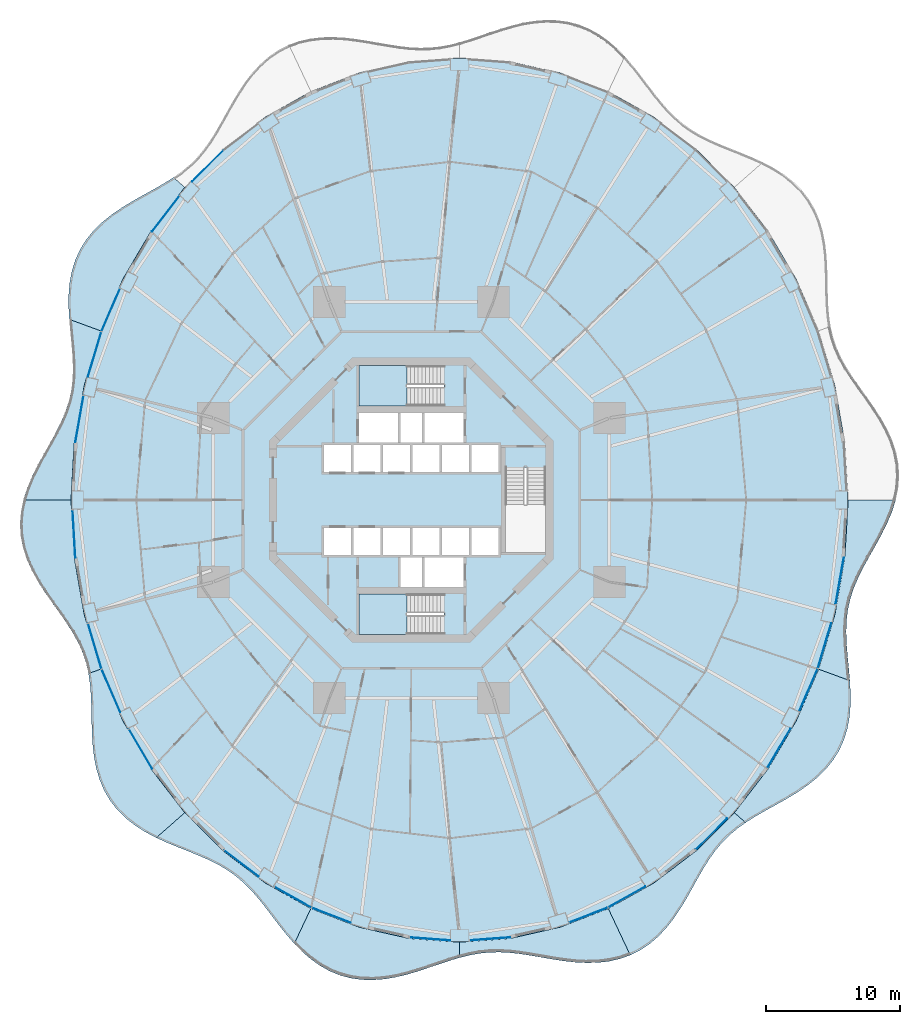
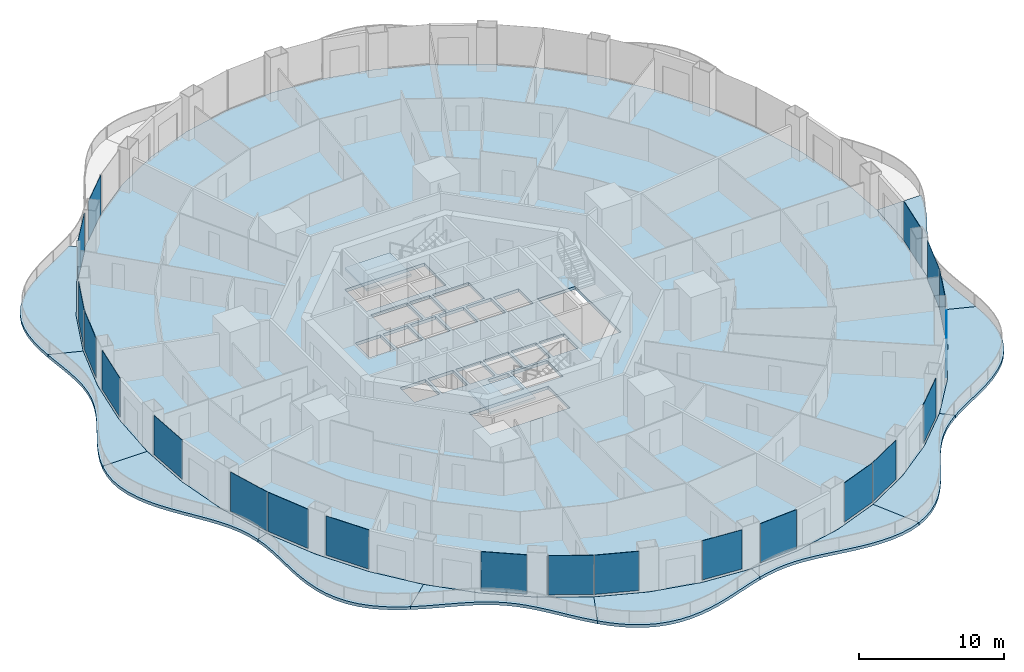
# One storey, part 12 of 22: 21 plates, 13 slabs, 23 elements without a shape of their own.
"""IFC4 building model written with IfcOpenShell, lengths in metres."""

from ifc_helpers import new_model, si_unit, direction, frame, origin, origin_2d, place, context, subcontext, project, spatial, polyline, rectangle, outline, extrude, material, layer, layer_set, type_object, element, aggregate, save


model = new_model("IFC4")

# Units and contexts
model_context = context("Model", 3, precision=1e-05, world=origin(), true_north=direction((0.0, 1.0)))
body_context = subcontext(model_context, "Body", "Model", "MODEL_VIEW")
ifc_project = project(units=[si_unit("LENGTHUNIT", "METRE"), si_unit("AREAUNIT", "SQUARE_METRE"), si_unit("VOLUMEUNIT", "CUBIC_METRE"), si_unit("PLANEANGLEUNIT", "RADIAN"), si_unit("MASSUNIT", "GRAM", prefix="KILO")], contexts=[model_context])

# Site, building, storey
site_placement = place(None, origin())
site = spatial("IfcSite", under=ifc_project, at=site_placement, CompositionType="ELEMENT")
building_placement = place(site_placement, origin())
building = spatial("IfcBuilding", under=site, at=building_placement, Name="Nagisa Residences", CompositionType="ELEMENT")
storey_placement = place(building_placement, frame((0.0, 0.0, 52.89990234375)))
storey = spatial("IfcBuildingStorey", under=building, at=storey_placement, Name="L12", CompositionType="ELEMENT", Elevation=52.89990234375)

# Slabs
ifc_material_1 = material(Name="Concrete C40/50", Category="concrete")
ifc_layer_1 = layer(ifc_material_1, 0.25)
ifc_layer_set_1 = layer_set([ifc_layer_1], Name="BALCONY SLAB 250")
slab_type_1 = type_object("IfcSlabType", Name="BALCONY SLAB 250", PredefinedType="FLOOR", material=ifc_layer_set_1)
slab_1_placement = place(storey_placement, frame((0.0, 0.0, -0.25)))
element("IfcSlab", 1, at=slab_1_placement, inside=storey, type_object=slab_type_1, Name="slab:L12:bal06", PredefinedType="FLOOR", context=body_context, shape_type="SweptSolid", body=[
    extrude(outline(polyline([(-17.743408203125, 24.0703125), (-18.46142578125, 23.617431640625), (-19.22021484375, 23.180908203125), (-20.00634765625, 22.745849609375), (-20.802978515625, 22.297119140625), (-21.59033203125, 21.820068359375), (-22.34814453125, 21.30322265625), (-23.055908203125, 20.73681640625), (-23.69580078125, 20.11474609375), (-24.251708984375, 19.4345703125), (-24.712890625, 18.697021484375), (-25.07275390625, 17.906982421875), (-25.330810546875, 17.0712890625), (-25.491943359375, 16.199462890625), (-25.566650390625, 15.30224609375), (-25.56982421875, 14.390869140625), (-25.521240234375, 13.476318359375), (-23.192626953125, 12.628662109375), (-21.5146484375, 16.5), (-19.4072265625, 20.089111328125), (-16.906005859375, 23.33447265625), (-17.743408203125, 24.0703125)])), origin(), (0.0, 0.0, 1.0), 0.25),
])
slab_2_placement = place(storey_placement, frame((0.0, 0.0, -0.25)))
element("IfcSlab", 2, at=slab_2_placement, inside=storey, type_object=slab_type_1, Name="slab:L12:bal07", PredefinedType="FLOOR", context=body_context, shape_type="SweptSolid", body=[
    extrude(outline(polyline([(-25.521240234375, 13.476318359375), (-25.439208984375, 12.539306640625), (-25.350341796875, 11.618408203125), (-25.27880859375, 10.719482421875), (-25.247314453125, 9.845947265625), (-25.274658203125, 8.99853515625), (-25.374267578125, 8.1748046875), (-25.5537109375, 7.370361328125), (-25.813232421875, 6.578857421875), (-26.146484375, 5.79345703125), (-26.540771484375, 5.0068359375), (-26.977783203125, 4.21240234375), (-27.4345703125, 3.404296875), (-27.885986328125, 2.57958984375), (-28.30517578125, 1.736328125), (-28.666748046875, 0.87548828125), (-28.947998046875, 0.0), (-25.39990234375, 0.0), (-25.15185546875, 4.307373046875), (-24.411865234375, 8.541015625), (-23.192626953125, 12.628662109375), (-25.521240234375, 13.476318359375)])), origin(), (0.0, 0.0, 1.0), 0.25),
])
slab_3_placement = place(storey_placement, frame((0.0, 0.0, -0.25)))
element("IfcSlab", 3, at=slab_3_placement, inside=storey, type_object=slab_type_1, Name="slab:L12:bal08", PredefinedType="FLOOR", context=body_context, shape_type="SweptSolid", body=[
    extrude(outline(polyline([(-28.947998046875, 0.0), (-29.1298828125, -0.885498046875), (-29.199951171875, -1.774658203125), (-29.151123046875, -2.6611328125), (-28.984130859375, -3.537841796875), (-28.706298828125, -4.398681640625), (-28.3310546875, -5.239013671875), (-27.8779296875, -6.056396484375), (-27.36962890625, -6.849853515625), (-26.83203125, -7.62158203125), (-26.290771484375, -8.375732421875), (-25.771240234375, -9.118896484375), (-25.295166015625, -9.85888671875), (-24.8798828125, -10.60400390625), (-24.537109375, -11.363037109375), (-24.2724609375, -12.14404296875), (-24.083984375, -12.953125), (-23.192626953125, -12.628662109375), (-24.411865234375, -8.541015625), (-25.15185546875, -4.307373046875), (-25.39990234375, 0.0), (-28.947998046875, 0.0)])), origin(), (0.0, 0.0, 1.0), 0.25),
])
slab_4_placement = place(storey_placement, frame((0.0, 0.0, -0.25)))
element("IfcSlab", 4, at=slab_4_placement, inside=storey, type_object=slab_type_1, Name="slab:L12:bal09", PredefinedType="FLOOR", context=body_context, shape_type="SweptSolid", body=[
    extrude(outline(polyline([(-24.083984375, -12.953125), (-23.966796875, -13.76708984375), (-23.901611328125, -14.61181640625), (-23.87109375, -15.484619140625), (-23.855224609375, -16.380859375), (-23.832763671875, -17.292236328125), (-23.781005859375, -18.20849609375), (-23.6796875, -19.11767578125), (-23.510498046875, -20.006591796875), (-23.2587890625, -20.86181640625), (-22.915283203125, -21.67138671875), (-22.47509765625, -22.424560546875), (-21.939208984375, -23.11376953125), (-21.314208984375, -23.734375), (-20.610595703125, -24.2861328125), (-19.84326171875, -24.772216796875), (-19.02978515625, -25.20068359375), (-16.906005859375, -23.33447265625), (-19.4072265625, -20.089111328125), (-21.5146484375, -16.5), (-23.192626953125, -12.628662109375), (-24.083984375, -12.953125)])), origin(), (0.0, 0.0, 1.0), 0.25),
])
slab_5_placement = place(storey_placement, frame((0.0, 0.0, -0.25)))
element("IfcSlab", 5, at=slab_5_placement, inside=storey, type_object=slab_type_1, Name="slab:L12:bal10", PredefinedType="FLOOR", context=body_context, shape_type="SweptSolid", body=[
    extrude(outline(polyline([(-19.02978515625, -25.20068359375), (-18.228759765625, -25.565673828125), (-17.41943359375, -25.900634765625), (-16.617431640625, -26.219482421875), (-15.836181640625, -26.537109375), (-15.086669921875, -26.868408203125), (-14.376220703125, -27.227294921875), (-13.708984375, -27.625), (-13.085205078125, -28.070556640625), (-12.500732421875, -28.569091796875), (-11.949462890625, -29.12158203125), (-11.421630859375, -29.724609375), (-10.906005859375, -30.37060546875), (-10.390869140625, -31.0478515625), (-9.86376953125, -31.7412109375), (-9.313720703125, -32.433349609375), (-8.73095703125, -33.1044921875), (-7.497802734375, -30.488037109375), (-10.89990234375, -28.578857421875), (-14.05419921875, -26.1806640625), (-16.906005859375, -23.33447265625), (-19.02978515625, -25.20068359375)])), origin(), (0.0, 0.0, 1.0), 0.25),
])
slab_6_placement = place(storey_placement, frame((0.0, 0.0, -0.25)))
element("IfcSlab", 6, at=slab_6_placement, inside=storey, type_object=slab_type_1, Name="slab:L12:bal11", PredefinedType="FLOOR", context=body_context, shape_type="SweptSolid", body=[
    extrude(outline(polyline([(-8.73095703125, -33.1044921875), (-8.1318359375, -33.713134765625), (-7.491455078125, -34.267578125), (-6.808837890625, -34.752197265625), (-6.084716796875, -35.154541015625), (-5.322998046875, -35.465087890625), (-4.529052734375, -35.678955078125), (-3.71044921875, -35.795166015625), (-2.874755859375, -35.817138671875), (-2.031005859375, -35.75244140625), (-1.186767578125, -35.61328125), (-0.349609375, -35.414306640625), (0.474853515625, -35.1728515625), (1.28271484375, -34.907470703125), (2.072265625, -34.63720703125), (2.843994140625, -34.3798828125), (3.60009765625, -34.152099609375), (3.60009765625, -33.0), (-0.185302734375, -32.7177734375), (-3.90576171875, -31.87548828125), (-7.497802734375, -30.488037109375), (-8.73095703125, -33.1044921875)])), origin(), (0.0, 0.0, 1.0), 0.25),
])
slab_7_placement = place(storey_placement, frame((0.0, 0.0, -0.25)))
element("IfcSlab", 7, at=slab_7_placement, inside=storey, type_object=slab_type_1, Name="slab:L12:bal12", PredefinedType="FLOOR", context=body_context, shape_type="SweptSolid", body=[
    extrude(outline(polyline([(3.60009765625, -34.152099609375), (4.34423828125, -33.966796875), (5.082275390625, -33.83349609375), (5.820068359375, -33.758056640625), (6.563720703125, -33.740966796875), (7.318603515625, -33.77880859375), (8.089599609375, -33.863525390625), (8.879638671875, -33.983642578125), (9.689453125, -34.1240234375), (10.51806640625, -34.267822265625), (11.362060546875, -34.396728515625), (12.215576171875, -34.492919921875), (13.071533203125, -34.538818359375), (13.921142578125, -34.51953125), (14.7548828125, -34.422607421875), (15.56298828125, -34.239501953125), (16.336669921875, -33.965087890625), (14.69775390625, -30.488037109375), (11.105712890625, -31.87548828125), (7.38525390625, -32.7177734375), (3.60009765625, -33.0), (3.60009765625, -34.152099609375)])), origin(), (0.0, 0.0, 1.0), 0.25),
])
slab_8_placement = place(storey_placement, frame((0.0, 0.0, -0.25)))
element("IfcSlab", 8, at=slab_8_placement, inside=storey, type_object=slab_type_1, Name="slab:L12:bal13", PredefinedType="FLOOR", context=body_context, shape_type="SweptSolid", body=[
    extrude(outline(polyline([(16.336669921875, -33.965087890625), (17.0947265625, -33.583251953125), (17.80078125, -33.107177734375), (18.451171875, -32.544677734375), (19.045654296875, -31.908935546875), (19.586669921875, -31.21484375), (20.080322265625, -30.479736328125), (20.5361328125, -29.72216796875), (20.96484375, -28.960205078125), (21.38037109375, -28.210205078125), (21.796142578125, -27.486572265625), (22.226318359375, -26.80078125), (22.68310546875, -26.160400390625), (23.177490234375, -25.5693359375), (23.716796875, -25.027099609375), (24.305419921875, -24.530029296875), (24.943359375, -24.0703125), (24.106201171875, -23.33447265625), (21.254150390625, -26.1806640625), (18.10009765625, -28.578857421875), (14.69775390625, -30.488037109375), (16.336669921875, -33.965087890625)])), origin(), (0.0, 0.0, 1.0), 0.25),
])
slab_9_placement = place(storey_placement, frame((0.0, 0.0, -0.25)))
element("IfcSlab", 9, at=slab_9_placement, inside=storey, type_object=slab_type_1, Name="slab:L12:bal14", PredefinedType="FLOOR", context=body_context, shape_type="SweptSolid", body=[
    extrude(outline(polyline([(24.943359375, -24.0703125), (25.661376953125, -23.617431640625), (26.420166015625, -23.180908203125), (27.20654296875, -22.745849609375), (28.0029296875, -22.297119140625), (28.790283203125, -21.820068359375), (29.548095703125, -21.30322265625), (30.256103515625, -20.73681640625), (30.895751953125, -20.11474609375), (31.45166015625, -19.4345703125), (31.912841796875, -18.697021484375), (32.272705078125, -17.906982421875), (32.53076171875, -17.0712890625), (32.69189453125, -16.199462890625), (32.7666015625, -15.30224609375), (32.77001953125, -14.390869140625), (32.72119140625, -13.476318359375), (30.392578125, -12.628662109375), (28.71484375, -16.5), (26.607177734375, -20.089111328125), (24.106201171875, -23.33447265625), (24.943359375, -24.0703125)])), origin(), (0.0, 0.0, 1.0), 0.25),
])
slab_10_placement = place(storey_placement, frame((0.0, 0.0, -0.25)))
element("IfcSlab", 10, at=slab_10_placement, inside=storey, type_object=slab_type_1, Name="slab:L12:bal15", PredefinedType="FLOOR", context=body_context, shape_type="SweptSolid", body=[
    extrude(outline(polyline([(32.72119140625, -13.476318359375), (32.639404296875, -12.539306640625), (32.55029296875, -11.618408203125), (32.478759765625, -10.719482421875), (32.447265625, -9.845947265625), (32.474609375, -8.99853515625), (32.574462890625, -8.1748046875), (32.753662109375, -7.370361328125), (33.01318359375, -6.578857421875), (33.346435546875, -5.79345703125), (33.74072265625, -5.0068359375), (34.177734375, -4.21240234375), (34.634521484375, -3.404296875), (35.0859375, -2.57958984375), (35.505126953125, -1.736328125), (35.86669921875, -0.87548828125), (36.14794921875, 0.0), (32.60009765625, 0.0), (32.351806640625, -4.307373046875), (31.61181640625, -8.541015625), (30.392578125, -12.628662109375), (32.72119140625, -13.476318359375)])), origin(), (0.0, 0.0, 1.0), 0.25),
])

# Curtain wall, plate
ifc_material_2 = material(Name="Concrete-coloured aluminium curtain wall system", Category="concrete")
ifc_layer_2 = layer(ifc_material_2, 0.159912109375)
ifc_layer_set_2 = layer_set([ifc_layer_2], Name="CW1 CURTAIN WALL")
curtain_wall_type = type_object("IfcCurtainWallType", Name="CW1 CURTAIN WALL", PredefinedType="NOTDEFINED", material=ifc_layer_set_2)
curtain_wall_1_placement = place(storey_placement, origin())
curtain_wall_1 = element("IfcCurtainWall", 11, at=curtain_wall_1_placement, inside=storey, type_object=curtain_wall_type, Name="cw:CW1:L12:17", PredefinedType="NOTDEFINED")
ifc_material_3 = material(Name="Clear laminated glass", Category="glass")
ifc_layer_3 = layer(ifc_material_3, 0.028076171875)
ifc_layer_set_3 = layer_set([ifc_layer_3], Name="CW1 GLASS PANEL")
plate_type = type_object("IfcPlateType", Name="CW1 GLASS PANEL", PredefinedType="CURTAIN_PANEL", material=ifc_layer_set_3)
plate_1_placement = place(storey_placement, frame((-15.197021484375, 24.927001953125, 0.150146484375), z_axis=(0.0, 0.0, 1.0), x_axis=(-0.707835924016, -0.706376885714, 0.0)))
plate_1 = element("IfcPlate", 12, at=plate_1_placement, type_object=plate_type, Name="CW1 panel", PredefinedType="CURTAIN_PANEL", context=body_context, shape_type="SweptSolid", body=[
    extrude(rectangle(XDim=3.269287109375, YDim=0.028076171875, at=origin_2d()), origin(), (0.0, 0.0, 1.0), 3.2900390625),
])
aggregate(curtain_wall_1, [plate_1])

curtain_wall_2_placement = place(storey_placement, origin())
curtain_wall_2 = element("IfcCurtainWall", 13, at=curtain_wall_2_placement, inside=storey, type_object=curtain_wall_type, Name="cw:CW1:L12:18", PredefinedType="NOTDEFINED")
plate_2_placement = place(storey_placement, frame((-18.3251953125, 21.362060546875, 0.150146484375), z_axis=(0.0, 0.0, 1.0), x_axis=(-0.610429828235, -0.792070340816, 0.0)))
plate_2 = element("IfcPlate", 14, at=plate_2_placement, type_object=plate_type, Name="CW1 panel", PredefinedType="CURTAIN_PANEL", context=body_context, shape_type="SweptSolid", body=[
    extrude(rectangle(XDim=3.33740234375, YDim=0.028076171875, at=origin_2d()), origin(), (0.0, 0.0, 1.0), 3.2900390625),
])
aggregate(curtain_wall_2, [plate_2])

curtain_wall_3_placement = place(storey_placement, origin())
curtain_wall_3 = element("IfcCurtainWall", 15, at=curtain_wall_3_placement, inside=storey, type_object=curtain_wall_type, Name="cw:CW1:L12:20", PredefinedType="NOTDEFINED")
plate_3_placement = place(storey_placement, frame((-22.431396484375, 14.183837890625, 0.150146484375), z_axis=(0.0, 0.0, 1.0), x_axis=(-0.397635934147, -0.917543276295, 0.0)))
plate_3 = element("IfcPlate", 16, at=plate_3_placement, type_object=plate_type, Name="CW1 panel", PredefinedType="CURTAIN_PANEL", context=body_context, shape_type="SweptSolid", body=[
    extrude(rectangle(XDim=3.45947265625, YDim=0.028076171875, at=origin_2d()), origin(), (0.0, 0.0, 1.0), 3.2900390625),
])
aggregate(curtain_wall_3, [plate_3])

curtain_wall_4_placement = place(storey_placement, origin())
curtain_wall_4 = element("IfcCurtainWall", 17, at=curtain_wall_4_placement, inside=storey, type_object=curtain_wall_type, Name="cw:CW1:L12:21", PredefinedType="NOTDEFINED")
plate_4_placement = place(storey_placement, frame((-23.634033203125, 10.86865234375, 0.150146484375), z_axis=(0.0, 0.0, 1.0), x_axis=(-0.285860274038, -0.958271310082, 0.0)))
plate_4 = element("IfcPlate", 18, at=plate_4_placement, type_object=plate_type, Name="CW1 panel", PredefinedType="CURTAIN_PANEL", context=body_context, shape_type="SweptSolid", body=[
    extrude(rectangle(XDim=3.505615234375, YDim=0.028076171875, at=origin_2d()), origin(), (0.0, 0.0, 1.0), 3.2900390625),
])
aggregate(curtain_wall_4, [plate_4])

curtain_wall_5_placement = place(storey_placement, origin())
curtain_wall_5 = element("IfcCurtainWall", 19, at=curtain_wall_5_placement, inside=storey, type_object=curtain_wall_type, Name="cw:CW1:L12:22", PredefinedType="NOTDEFINED")
plate_5_placement = place(storey_placement, frame((-24.7685546875, 6.0361328125, 0.150146484375), z_axis=(0.0, 0.0, 1.0), x_axis=(-0.172190868898, -0.985063604377, 0.0)))
plate_5 = element("IfcPlate", 20, at=plate_5_placement, type_object=plate_type, Name="CW1 panel", PredefinedType="CURTAIN_PANEL", context=body_context, shape_type="SweptSolid", body=[
    extrude(rectangle(XDim=3.537841796875, YDim=0.028076171875, at=origin_2d()), origin(), (0.0, 0.0, 1.0), 3.2900390625),
])
aggregate(curtain_wall_5, [plate_5])

curtain_wall_6_placement = place(storey_placement, origin())
curtain_wall_6 = element("IfcCurtainWall", 21, at=curtain_wall_6_placement, inside=storey, type_object=curtain_wall_type, Name="cw:CW1:L12:24", PredefinedType="NOTDEFINED")
plate_6_placement = place(storey_placement, frame((-25.17431640625, -2.528564453125, 0.150146484375), z_axis=(0.0, 0.0, 1.0), x_axis=(0.057503492216, -0.998345305184, 0.0)))
plate_6 = element("IfcPlate", 22, at=plate_6_placement, type_object=plate_type, Name="CW1 panel", PredefinedType="CURTAIN_PANEL", context=body_context, shape_type="SweptSolid", body=[
    extrude(rectangle(XDim=3.554443359375, YDim=0.028076171875, at=origin_2d()), origin(), (0.0, 0.0, 1.0), 3.2900390625),
])
aggregate(curtain_wall_6, [plate_6])

curtain_wall_7_placement = place(storey_placement, origin())
curtain_wall_7 = element("IfcCurtainWall", 23, at=curtain_wall_7_placement, inside=storey, type_object=curtain_wall_type, Name="cw:CW1:L12:26", PredefinedType="NOTDEFINED")
plate_7_placement = place(storey_placement, frame((-23.616943359375, -10.926025390625, 0.150146484375), z_axis=(0.0, 0.0, 1.0), x_axis=(0.285860274038, -0.958271310082, 0.0)))
plate_7 = element("IfcPlate", 24, at=plate_7_placement, type_object=plate_type, Name="CW1 panel", PredefinedType="CURTAIN_PANEL", context=body_context, shape_type="SweptSolid", body=[
    extrude(rectangle(XDim=3.505615234375, YDim=0.028076171875, at=origin_2d()), origin(), (0.0, 0.0, 1.0), 3.2900390625),
])
aggregate(curtain_wall_7, [plate_7])

curtain_wall_8_placement = place(storey_placement, origin())
curtain_wall_8 = element("IfcCurtainWall", 25, at=curtain_wall_8_placement, inside=storey, type_object=curtain_wall_type, Name="cw:CW1:L12:27", PredefinedType="NOTDEFINED")
plate_8_placement = place(storey_placement, frame((-22.407470703125, -14.23876953125, 0.150146484375), z_axis=(0.0, 0.0, 1.0), x_axis=(0.397635934147, -0.917543276295, 0.0)))
plate_8 = element("IfcPlate", 26, at=plate_8_placement, type_object=plate_type, Name="CW1 panel", PredefinedType="CURTAIN_PANEL", context=body_context, shape_type="SweptSolid", body=[
    extrude(rectangle(XDim=3.45947265625, YDim=0.028076171875, at=origin_2d()), origin(), (0.0, 0.0, 1.0), 3.2900390625),
])
aggregate(curtain_wall_8, [plate_8])

curtain_wall_9_placement = place(storey_placement, origin())
curtain_wall_9 = element("IfcCurtainWall", 27, at=curtain_wall_9_placement, inside=storey, type_object=curtain_wall_type, Name="cw:CW1:L12:28", PredefinedType="NOTDEFINED")
plate_9_placement = place(storey_placement, frame((-20.19970703125, -18.581787109375, 0.150146484375), z_axis=(0.0, 0.0, 1.0), x_axis=(0.506348567002, -0.862328898214, 0.0)))
plate_9 = element("IfcPlate", 28, at=plate_9_placement, type_object=plate_type, Name="CW1 panel", PredefinedType="CURTAIN_PANEL", context=body_context, shape_type="SweptSolid", body=[
    extrude(rectangle(XDim=3.402099609375, YDim=0.028076171875, at=origin_2d()), origin(), (0.0, 0.0, 1.0), 3.2900390625),
])
aggregate(curtain_wall_9, [plate_9])

curtain_wall_10_placement = place(storey_placement, origin())
curtain_wall_10 = element("IfcCurtainWall", 29, at=curtain_wall_10_placement, inside=storey, type_object=curtain_wall_type, Name="cw:CW1:L12:31", PredefinedType="NOTDEFINED")
plate_10_placement = place(storey_placement, frame((-12.683349609375, -27.122314453125, 0.150146484375), z_axis=(0.0, 0.0, 1.0), x_axis=(0.79603132756, -0.605255421737, 0.0)))
plate_10 = element("IfcPlate", 30, at=plate_10_placement, type_object=plate_type, Name="CW1 panel", PredefinedType="CURTAIN_PANEL", context=body_context, shape_type="SweptSolid", body=[
    extrude(rectangle(XDim=3.2021484375, YDim=0.028076171875, at=origin_2d()), origin(), (0.0, 0.0, 1.0), 3.2900390625),
])
aggregate(curtain_wall_10, [plate_10])

curtain_wall_11_placement = place(storey_placement, origin())
curtain_wall_11 = element("IfcCurtainWall", 31, at=curtain_wall_11_placement, inside=storey, type_object=curtain_wall_type, Name="cw:CW1:L12:32", PredefinedType="NOTDEFINED")
plate_11_placement = place(storey_placement, frame((-8.828369140625, -29.649658203125, 0.150146484375), z_axis=(0.0, 0.0, 1.0), x_axis=(0.872072377523, -0.489376918501, 0.0)))
plate_11 = element("IfcPlate", 32, at=plate_11_placement, type_object=plate_type, Name="CW1 panel", PredefinedType="CURTAIN_PANEL", context=body_context, shape_type="SweptSolid", body=[
    extrude(rectangle(XDim=3.141357421875, YDim=0.028076171875, at=origin_2d()), origin(), (0.0, 0.0, 1.0), 3.2900390625),
])
aggregate(curtain_wall_11, [plate_11])

curtain_wall_12_placement = place(storey_placement, origin())
curtain_wall_12 = element("IfcCurtainWall", 33, at=curtain_wall_12_placement, inside=storey, type_object=curtain_wall_type, Name="cw:CW1:L12:33", PredefinedType="NOTDEFINED")
plate_12_placement = place(storey_placement, frame((-5.971435546875, -30.991943359375, 0.150146484375), z_axis=(0.0, 0.0, 1.0), x_axis=(0.932825759707, -0.360327770268, 0.0)))
plate_12 = element("IfcPlate", 34, at=plate_12_placement, type_object=plate_type, Name="CW1 panel", PredefinedType="CURTAIN_PANEL", context=body_context, shape_type="SweptSolid", body=[
    extrude(rectangle(XDim=3.0908203125, YDim=0.028076171875, at=origin_2d()), origin(), (0.0, 0.0, 1.0), 3.2900390625),
])
aggregate(curtain_wall_12, [plate_12])

curtain_wall_13_placement = place(storey_placement, origin())
curtain_wall_13 = element("IfcCurtainWall", 35, at=curtain_wall_13_placement, inside=storey, type_object=curtain_wall_type, Name="cw:CW1:L12:35", PredefinedType="NOTDEFINED")
plate_13_placement = place(storey_placement, frame((1.394287109375, -32.75537109375, 0.150146484375), z_axis=(0.0, 0.0, 1.0), x_axis=(0.997230168512, -0.074377355493, 0.0)))
plate_13 = element("IfcPlate", 36, at=plate_13_placement, type_object=plate_type, Name="CW1 panel", PredefinedType="CURTAIN_PANEL", context=body_context, shape_type="SweptSolid", body=[
    extrude(rectangle(XDim=3.035888671875, YDim=0.028076171875, at=origin_2d()), origin(), (0.0, 0.0, 1.0), 3.2900390625),
])
aggregate(curtain_wall_13, [plate_13])

curtain_wall_14_placement = place(storey_placement, origin())
curtain_wall_14 = element("IfcCurtainWall", 37, at=curtain_wall_14_placement, inside=storey, type_object=curtain_wall_type, Name="cw:CW1:L12:36", PredefinedType="NOTDEFINED")
plate_14_placement = place(storey_placement, frame((5.86572265625, -32.750732421875, 0.150146484375), z_axis=(0.0, 0.0, 1.0), x_axis=(0.997230168512, 0.074377355493, 0.0)))
plate_14 = element("IfcPlate", 38, at=plate_14_placement, type_object=plate_type, Name="CW1 panel", PredefinedType="CURTAIN_PANEL", context=body_context, shape_type="SweptSolid", body=[
    extrude(rectangle(XDim=3.035888671875, YDim=0.028076171875, at=origin_2d()), origin(), (0.0, 0.0, 1.0), 3.2900390625),
])
aggregate(curtain_wall_14, [plate_14])

curtain_wall_15_placement = place(storey_placement, origin())
curtain_wall_15 = element("IfcCurtainWall", 39, at=curtain_wall_15_placement, inside=storey, type_object=curtain_wall_type, Name="cw:CW1:L12:38", PredefinedType="NOTDEFINED")
plate_15_placement = place(storey_placement, frame((13.2275390625, -30.97021484375, 0.150146484375), z_axis=(0.0, 0.0, 1.0), x_axis=(0.932825759707, 0.360327770268, 0.0)))
plate_15 = element("IfcPlate", 40, at=plate_15_placement, type_object=plate_type, Name="CW1 panel", PredefinedType="CURTAIN_PANEL", context=body_context, shape_type="SweptSolid", body=[
    extrude(rectangle(XDim=3.0908203125, YDim=0.028076171875, at=origin_2d()), origin(), (0.0, 0.0, 1.0), 3.2900390625),
])
aggregate(curtain_wall_15, [plate_15])

curtain_wall_16_placement = place(storey_placement, origin())
curtain_wall_16 = element("IfcCurtainWall", 41, at=curtain_wall_16_placement, inside=storey, type_object=curtain_wall_type, Name="cw:CW1:L12:39", PredefinedType="NOTDEFINED")
plate_16_placement = place(storey_placement, frame((16.080810546875, -29.620361328125, 0.150146484375), z_axis=(0.0, 0.0, 1.0), x_axis=(0.872072377523, 0.489376918501, 0.0)))
plate_16 = element("IfcPlate", 42, at=plate_16_placement, type_object=plate_type, Name="CW1 panel", PredefinedType="CURTAIN_PANEL", context=body_context, shape_type="SweptSolid", body=[
    extrude(rectangle(XDim=3.141357421875, YDim=0.028076171875, at=origin_2d()), origin(), (0.0, 0.0, 1.0), 3.2900390625),
])
aggregate(curtain_wall_16, [plate_16])

curtain_wall_17_placement = place(storey_placement, origin())
curtain_wall_17 = element("IfcCurtainWall", 43, at=curtain_wall_17_placement, inside=storey, type_object=curtain_wall_type, Name="cw:CW1:L12:41", PredefinedType="NOTDEFINED")
plate_17_placement = place(storey_placement, frame((22.39697265625, -24.927001953125, 0.150146484375), z_axis=(0.0, 0.0, 1.0), x_axis=(0.707835924016, 0.706376885714, 0.0)))
plate_17 = element("IfcPlate", 44, at=plate_17_placement, type_object=plate_type, Name="CW1 panel", PredefinedType="CURTAIN_PANEL", context=body_context, shape_type="SweptSolid", body=[
    extrude(rectangle(XDim=3.269287109375, YDim=0.028076171875, at=origin_2d()), origin(), (0.0, 0.0, 1.0), 3.2900390625),
])
aggregate(curtain_wall_17, [plate_17])

curtain_wall_18_placement = place(storey_placement, origin())
curtain_wall_18 = element("IfcCurtainWall", 45, at=curtain_wall_18_placement, inside=storey, type_object=curtain_wall_type, Name="cw:CW1:L12:43", PredefinedType="NOTDEFINED")
plate_18_placement = place(storey_placement, frame((27.429931640625, -18.530029296875, 0.150146484375), z_axis=(0.0, 0.0, 1.0), x_axis=(0.506348567002, 0.862328898214, 0.0)))
plate_18 = element("IfcPlate", 46, at=plate_18_placement, type_object=plate_type, Name="CW1 panel", PredefinedType="CURTAIN_PANEL", context=body_context, shape_type="SweptSolid", body=[
    extrude(rectangle(XDim=3.402099609375, YDim=0.028076171875, at=origin_2d()), origin(), (0.0, 0.0, 1.0), 3.2900390625),
])
aggregate(curtain_wall_18, [plate_18])

curtain_wall_19_placement = place(storey_placement, origin())
curtain_wall_19 = element("IfcCurtainWall", 47, at=curtain_wall_19_placement, inside=storey, type_object=curtain_wall_type, Name="cw:CW1:L12:44", PredefinedType="NOTDEFINED")
plate_19_placement = place(storey_placement, frame((29.63134765625, -14.183837890625, 0.150146484375), z_axis=(0.0, 0.0, 1.0), x_axis=(0.397635934147, 0.917543276295, 0.0)))
plate_19 = element("IfcPlate", 48, at=plate_19_placement, type_object=plate_type, Name="CW1 panel", PredefinedType="CURTAIN_PANEL", context=body_context, shape_type="SweptSolid", body=[
    extrude(rectangle(XDim=3.45947265625, YDim=0.028076171875, at=origin_2d()), origin(), (0.0, 0.0, 1.0), 3.2900390625),
])
aggregate(curtain_wall_19, [plate_19])

curtain_wall_20_placement = place(storey_placement, origin())
curtain_wall_20 = element("IfcCurtainWall", 49, at=curtain_wall_20_placement, inside=storey, type_object=curtain_wall_type, Name="cw:CW1:L12:45", PredefinedType="NOTDEFINED")
plate_20_placement = place(storey_placement, frame((30.833984375, -10.86865234375, 0.150146484375), z_axis=(0.0, 0.0, 1.0), x_axis=(0.285860274038, 0.958271310082, 0.0)))
plate_20 = element("IfcPlate", 50, at=plate_20_placement, type_object=plate_type, Name="CW1 panel", PredefinedType="CURTAIN_PANEL", context=body_context, shape_type="SweptSolid", body=[
    extrude(rectangle(XDim=3.505615234375, YDim=0.028076171875, at=origin_2d()), origin(), (0.0, 0.0, 1.0), 3.2900390625),
])
aggregate(curtain_wall_20, [plate_20])

curtain_wall_21_placement = place(storey_placement, origin())
curtain_wall_21 = element("IfcCurtainWall", 51, at=curtain_wall_21_placement, inside=storey, type_object=curtain_wall_type, Name="cw:CW1:L12:46", PredefinedType="NOTDEFINED")
plate_21_placement = place(storey_placement, frame((31.968505859375, -6.0361328125, 0.150146484375), z_axis=(0.0, 0.0, 1.0), x_axis=(0.172190868898, 0.985063604377, 0.0)))
plate_21 = element("IfcPlate", 52, at=plate_21_placement, type_object=plate_type, Name="CW1 panel", PredefinedType="CURTAIN_PANEL", context=body_context, shape_type="SweptSolid", body=[
    extrude(rectangle(XDim=3.537841796875, YDim=0.028076171875, at=origin_2d()), origin(), (0.0, 0.0, 1.0), 3.2900390625),
])
aggregate(curtain_wall_21, [plate_21])

# Slab
ifc_material_4 = material(Name="Concrete C40", Category="concrete")
ifc_layer_4 = layer(ifc_material_4, 0.260009765625)
ifc_layer_set_4 = layer_set([ifc_layer_4], Name="Floor slab 260")
slab_type_2 = type_object("IfcSlabType", Name="Floor slab 260", PredefinedType="FLOOR", material=ifc_layer_set_4)
slab_11_placement = place(storey_placement, frame((0.0, 0.0, -0.260009765625)))
element("IfcSlab", 53, at=slab_11_placement, inside=storey, type_object=slab_type_2, Name="slab:L12:floor", PredefinedType="FLOOR", context=body_context, shape_type="SweptSolid", body=[
    extrude(outline(polyline([(32.60009765625, 0.0), (32.351806640625, 4.307373046875), (31.61181640625, 8.541015625), (30.392578125, 12.628662109375), (28.71484375, 16.5), (26.607177734375, 20.089111328125), (24.106201171875, 23.33447265625), (21.254150390625, 26.1806640625), (18.10009765625, 28.578857421875), (14.69775390625, 30.488037109375), (11.105712890625, 31.87548828125), (7.38525390625, 32.7177734375), (3.60009765625, 33.0), (-0.185302734375, 32.7177734375), (-3.90576171875, 31.87548828125), (-7.497802734375, 30.488037109375), (-10.89990234375, 28.578857421875), (-14.05419921875, 26.1806640625), (-16.906005859375, 23.33447265625), (-19.4072265625, 20.089111328125), (-21.5146484375, 16.5), (-23.192626953125, 12.628662109375), (-24.411865234375, 8.541015625), (-25.15185546875, 4.307373046875), (-25.39990234375, 0.0), (-25.15185546875, -4.307373046875), (-24.411865234375, -8.541015625), (-23.192626953125, -12.628662109375), (-21.5146484375, -16.5), (-19.4072265625, -20.089111328125), (-16.906005859375, -23.33447265625), (-14.05419921875, -26.1806640625), (-10.89990234375, -28.578857421875), (-7.497802734375, -30.488037109375), (-3.90576171875, -31.87548828125), (-0.185302734375, -32.7177734375), (3.60009765625, -33.0), (7.38525390625, -32.7177734375), (11.105712890625, -31.87548828125), (14.69775390625, -30.488037109375), (18.10009765625, -28.578857421875), (21.254150390625, -26.1806640625), (24.106201171875, -23.33447265625), (26.607177734375, -20.089111328125), (28.71484375, -16.5), (30.392578125, -12.628662109375), (31.61181640625, -8.541015625), (32.351806640625, -4.307373046875), (32.60009765625, 0.0)]), holes=[polyline([(-4.5, 2.10009765625), (-4.5, 4.10009765625), (-6.5, 4.10009765625), (-6.5, 2.10009765625), (-4.5, 2.10009765625)]), polyline([(-2.300048828125, 2.10009765625), (-2.300048828125, 4.10009765625), (-4.300048828125, 4.10009765625), (-4.300048828125, 2.10009765625), (-2.300048828125, 2.10009765625)]), polyline([(-0.10009765625, 2.10009765625), (-0.10009765625, 4.10009765625), (-2.10009765625, 4.10009765625), (-2.10009765625, 2.10009765625), (-0.10009765625, 2.10009765625)]), polyline([(2.10009765625, 2.10009765625), (2.10009765625, 4.10009765625), (0.10009765625, 4.10009765625), (0.10009765625, 2.10009765625), (2.10009765625, 2.10009765625)]), polyline([(4.300048828125, 2.10009765625), (4.300048828125, 4.10009765625), (2.300048828125, 4.10009765625), (2.300048828125, 2.10009765625), (4.300048828125, 2.10009765625)]), polyline([(6.5, 2.10009765625), (6.5, 4.10009765625), (4.5, 4.10009765625), (4.5, 2.10009765625), (6.5, 2.10009765625)]), polyline([(-4.5, -4.10009765625), (-4.5, -2.10009765625), (-6.5, -2.10009765625), (-6.5, -4.10009765625), (-4.5, -4.10009765625)]), polyline([(-2.300048828125, -4.10009765625), (-2.300048828125, -2.10009765625), (-4.300048828125, -2.10009765625), (-4.300048828125, -4.10009765625), (-2.300048828125, -4.10009765625)]), polyline([(-0.10009765625, -4.10009765625), (-0.10009765625, -2.10009765625), (-2.10009765625, -2.10009765625), (-2.10009765625, -4.10009765625), (-0.10009765625, -4.10009765625)]), polyline([(2.10009765625, -4.10009765625), (2.10009765625, -2.10009765625), (0.10009765625, -2.10009765625), (0.10009765625, -4.10009765625), (2.10009765625, -4.10009765625)]), polyline([(4.300048828125, -4.10009765625), (4.300048828125, -2.10009765625), (2.300048828125, -2.10009765625), (2.300048828125, -4.10009765625), (4.300048828125, -4.10009765625)]), polyline([(6.5, -4.10009765625), (6.5, -2.10009765625), (4.5, -2.10009765625), (4.5, -4.10009765625), (6.5, -4.10009765625)]), polyline([(3.89990234375, 4.300048828125), (3.89990234375, 6.5), (1.0, 6.5), (1.0, 4.300048828125), (3.89990234375, 4.300048828125)]), polyline([(3.89990234375, -6.5), (3.89990234375, -4.300048828125), (1.0, -4.300048828125), (1.0, -6.5), (3.89990234375, -6.5)]), polyline([(-1.0, 4.300048828125), (-1.0, 6.5), (-3.89990234375, 6.5), (-3.89990234375, 4.300048828125), (-1.0, 4.300048828125)]), polyline([(0.800048828125, 4.300048828125), (0.800048828125, 6.5), (-0.800048828125, 6.5), (-0.800048828125, 4.300048828125), (0.800048828125, 4.300048828125)]), polyline([(0.800048828125, -6.5), (0.800048828125, -4.300048828125), (-0.800048828125, -4.300048828125), (-0.800048828125, -6.5), (0.800048828125, -6.5)]), polyline([(10.024658203125, -3.89990234375), (7.024658203125, -3.89990234375), (7.024658203125, 2.425048828125), (10.024658203125, 2.425048828125), (10.024658203125, -3.89990234375)]), polyline([(-3.89990234375, 7.024658203125), (-3.89990234375, 10.024658203125), (2.425048828125, 10.024658203125), (2.425048828125, 7.024658203125), (-3.89990234375, 7.024658203125)]), polyline([(-3.89990234375, -10.024658203125), (-3.89990234375, -7.024658203125), (2.425048828125, -7.024658203125), (2.425048828125, -10.024658203125), (-3.89990234375, -10.024658203125)])]), origin(), (0.0, 0.0, 1.0), 0.260009765625),
])

# Stair, slab
ifc_material_5 = material(Name="Concrete C60", Category="concrete")
stair_type = type_object("IfcStairType", Name="Exit stair", PredefinedType="HALF_TURN_STAIR", material=ifc_material_5)
stair_1_placement = place(storey_placement, origin())
stair_1 = element("IfcStair", 54, at=stair_1_placement, inside=storey, type_object=stair_type, Name="L12 Exit stair N", PredefinedType="HALF_TURN_STAIR")
ifc_material_6 = material(Name="Concrete C60", Category="concrete")
ifc_layer_5 = layer(ifc_material_6, 0.199951171875)
ifc_layer_set_5 = layer_set([ifc_layer_5], Name="Stair landing")
slab_type_3 = type_object("IfcSlabType", Name="Stair landing", PredefinedType="LANDING", material=ifc_layer_set_5)
slab_12_placement = place(storey_placement, frame((0.0, 0.0, 1.650146484375)))
slab_12 = element("IfcSlab", 55, at=slab_12_placement, type_object=slab_type_3, Name="ST-N landing 1", PredefinedType="LANDING", context=body_context, shape_type="SweptSolid", body=[
    extrude(outline(polyline([(-0.324951171875, 10.024658203125), (-3.89990234375, 10.024658203125), (-3.89990234375, 7.024658203125), (-0.324951171875, 7.024658203125), (-0.324951171875, 10.024658203125)])), origin(), (0.0, 0.0, 1.0), 0.199951171875),
])
aggregate(stair_1, [slab_12])

stair_2_placement = place(storey_placement, origin())
stair_2 = element("IfcStair", 56, at=stair_2_placement, inside=storey, type_object=stair_type, Name="L12 Exit stair S", PredefinedType="HALF_TURN_STAIR")
slab_13_placement = place(storey_placement, frame((0.0, 0.0, 1.650146484375)))
slab_13 = element("IfcSlab", 57, at=slab_13_placement, type_object=slab_type_3, Name="ST-S landing 1", PredefinedType="LANDING", context=body_context, shape_type="SweptSolid", body=[
    extrude(outline(polyline([(-0.324951171875, -7.024658203125), (-3.89990234375, -7.024658203125), (-3.89990234375, -10.024658203125), (-0.324951171875, -10.024658203125), (-0.324951171875, -7.024658203125)])), origin(), (0.0, 0.0, 1.0), 0.199951171875),
])
aggregate(stair_2, [slab_13])

save(model, "model.ifc")
